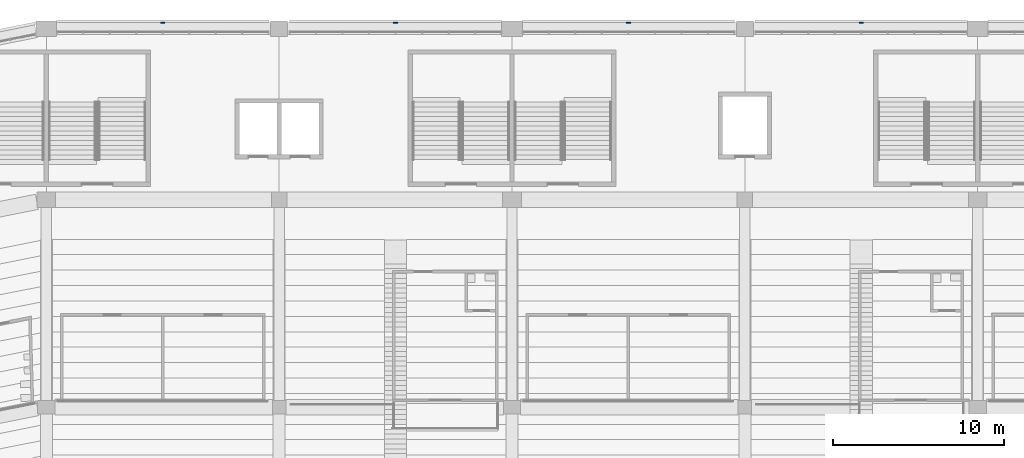
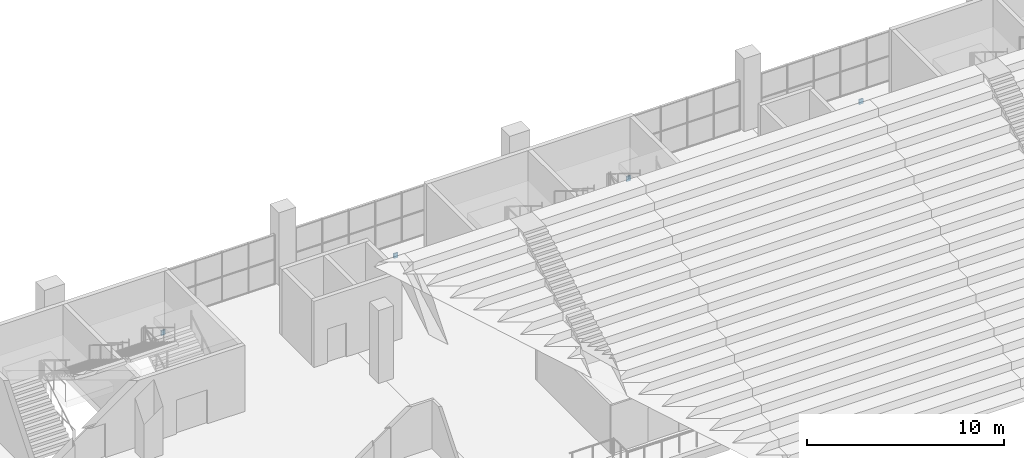
# One storey, part 110 of 249: 4 discrete accessories.
"""IFC4 building model written with IfcOpenShell, lengths in metres."""

from ifc_helpers import new_model, si_unit, direction, frame, origin, origin_2d, place, context, subcontext, project, spatial, rectangle, extrude, material, layer, layer_set, type_object, element, save


model = new_model("IFC4")

# Units and contexts
model_context = context("Model", 3, precision=1e-05, world=origin(), true_north=direction((0.0, 1.0)))
body_context = subcontext(model_context, "Body", "Model", "MODEL_VIEW")
ifc_project = project(units=[si_unit("LENGTHUNIT", "METRE"), si_unit("AREAUNIT", "SQUARE_METRE"), si_unit("VOLUMEUNIT", "CUBIC_METRE"), si_unit("PLANEANGLEUNIT", "RADIAN"), si_unit("MASSUNIT", "GRAM", prefix="KILO")], contexts=[model_context])

# Site, building, storey
site_placement = place(None, origin())
site = spatial("IfcSite", under=ifc_project, at=site_placement, CompositionType="ELEMENT")
building_placement = place(site_placement, origin())
building = spatial("IfcBuilding", under=site, at=building_placement, Name="Ogive Plaza Stadium", CompositionType="ELEMENT")
storey_placement = place(building_placement, frame((0.0, 0.0, 13.5)))
storey = spatial("IfcBuildingStorey", under=building, at=storey_placement, Name="L03", CompositionType="ELEMENT", Elevation=13.5)

# Discrete accessories
ifc_material = material(Name="Steel ASTM A572 Grade 50", Category="steel")
ifc_layer = layer(ifc_material, 0.080078125)
ifc_layer_set = layer_set([ifc_layer], Name="Steel ASTM A572 Grade 50")
discrete_accessory_type = type_object("IfcDiscreteAccessoryType", Name="Spandrel cladding bracket 250x300", PredefinedType="BRACKET", material=ifc_layer_set)
for number, where, z_axis, x_axis, name in (
    (1, (-27.199951171875, 102.85009765625, -1.31005859375), (0.0, 0.0, 1.0), (1.0, 0.0, 0.0), "SPANDREL BRACKET B32 L03"),
    (2, (-13.60009765625, 102.85009765625, -1.31005859375), (0.0, 0.0, 1.0), (1.0, 0.0, 0.0), "SPANDREL BRACKET B33 L03"),
    (3, (0.0, 102.85009765625, -1.31005859375), (0.0, 0.0, 1.0), (1.0, 0.0, 0.0), "SPANDREL BRACKET B34 L03"),
    (4, (13.60009765625, 102.85009765625, -1.31005859375), (0.0, 0.0, 1.0), (1.0, 0.0, 0.0), "SPANDREL BRACKET B35 L03"),
):
    element("IfcDiscreteAccessory", number, at=place(storey_placement, frame(where, z_axis=z_axis, x_axis=x_axis)), inside=storey, type_object=discrete_accessory_type, Name=name, PredefinedType="BRACKET", context=body_context, shape_type="SweptSolid", body=[
        extrude(rectangle(XDim=0.25, YDim=0.080078125, at=origin_2d()), origin(), (0.0, 0.0, 1.0), 0.300048828125),
    ])

save(model, "model.ifc")
